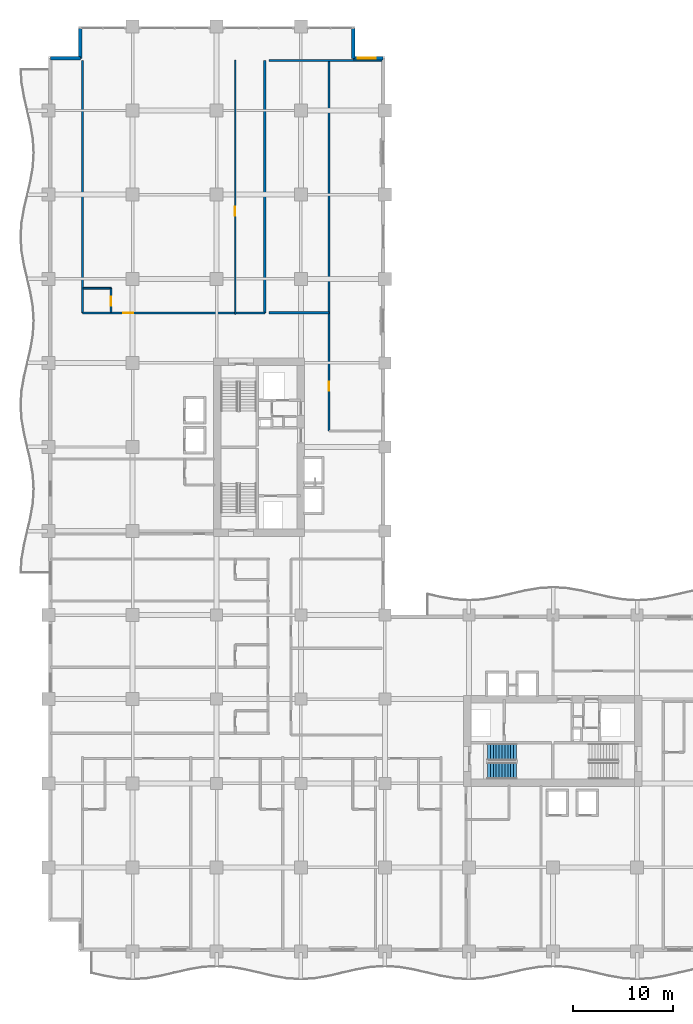
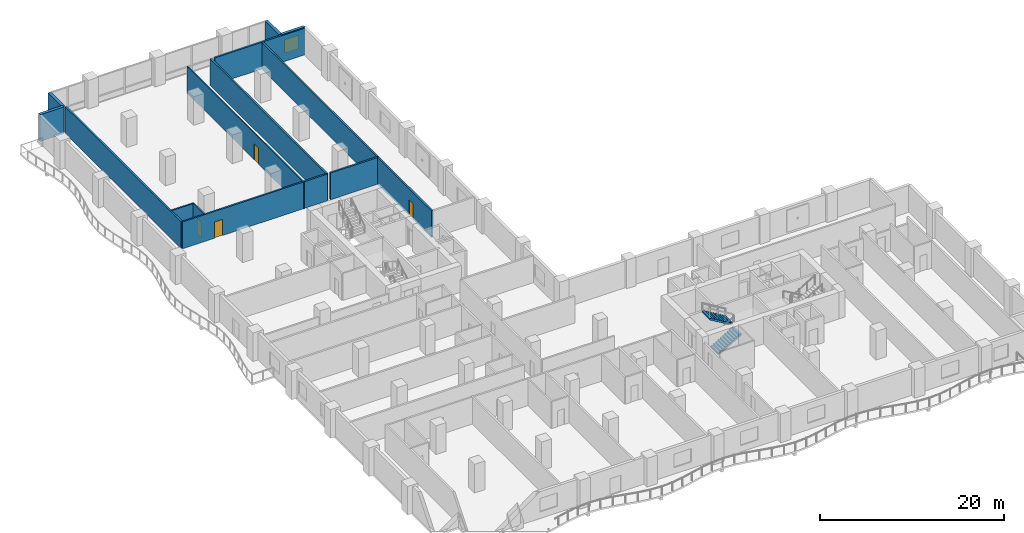
# One storey, part 14 of 21: 13 walls, 4 doors, 2 stair flights, 1 window, 5 openings, 1 element without a shape of its own.
"""IFC4 building model written with IfcOpenShell, lengths in metres."""

from ifc_helpers import new_model, si_unit, direction, frame, frame_2d, origin, place, context, subcontext, project, spatial, polyline, rectangle, outline, extrude, material, layer, layer_set, type_object, element, fill, aggregate, save


model = new_model("IFC4")

# Units and contexts
model_context = context("Model", 3, precision=1e-05, world=origin(), true_north=direction((0.0, 1.0)))
body_context = subcontext(model_context, "Body", "Model", "MODEL_VIEW")
ifc_project = project(units=[si_unit("LENGTHUNIT", "METRE"), si_unit("AREAUNIT", "SQUARE_METRE"), si_unit("VOLUMEUNIT", "CUBIC_METRE"), si_unit("PLANEANGLEUNIT", "RADIAN"), si_unit("MASSUNIT", "GRAM", prefix="KILO")], contexts=[model_context])

# Site, building, storey
site_placement = place(None, origin())
site = spatial("IfcSite", under=ifc_project, at=site_placement, CompositionType="ELEMENT")
building_placement = place(site_placement, origin())
building = spatial("IfcBuilding", under=site, at=building_placement, Name="Koriwani Terraces Tower", CompositionType="ELEMENT")
storey_placement = place(building_placement, frame((0.0, 0.0, 111.39990234375)))
storey = spatial("IfcBuildingStorey", under=building, at=storey_placement, Name="L26", CompositionType="ELEMENT", Elevation=111.39990234375)

# Wall, opening, door
ifc_material_1 = material(Name="Autoclaved Cellular Concrete Blockwork", Category="masonry")
ifc_layer_1 = layer(ifc_material_1, 0.199951171875, Name="Autoclaved Cellular Concrete Blockwork")
ifc_layer_set_1 = layer_set([ifc_layer_1], Name="Autoclaved Cellular Concrete Blockwork")
wall_type_1 = type_object("IfcWallType", Name="WALL_CORRIDOR_200", PredefinedType="PARTITIONING", material=ifc_layer_set_1)
wall_1_placement = place(storey_placement, frame((3.39990234375, 63.800048828125, 0.0), z_axis=(0.0, 0.0, 1.0), x_axis=(1.0, 0.0, 0.0)))
wall_1 = element("IfcWall", 1, at=wall_1_placement, inside=storey, type_object=wall_type_1, Name="L26 Interior Wall WGB-L26-NWTIP-S", PredefinedType="PARTITIONING", context=body_context, shape_type="SweptSolid", body=[
    extrude(rectangle(XDim=18.2001953125, YDim=0.199951171875, at=frame_2d((9.10009765625, 0.0))), origin(), (0.0, 0.0, 1.0), 3.550048828125),
])
opening_1_placement = place(wall_1_placement, frame((4.050048828125, 0.0, 0.0)))
opening_1 = element("IfcOpeningElement", 2, at=opening_1_placement, cuts=wall_1, Name="Opening D-05", PredefinedType="OPENING", context=body_context, shape_type="SweptSolid", body=[
    extrude(rectangle(XDim=1.0, YDim=2.14990234375, at=frame_2d((0.5, 1.074951171875))), frame((0.0, 0.10986328125, 0.0), z_axis=(0.0, -1.0, 0.0), x_axis=(1.0, 0.0, 0.0)), (0.0, 0.0, 1.0), 0.219970703125),
])
ifc_material_2 = material(Name="Architectural Oak Fire Door", Category="wood")
door_type_1 = type_object("IfcDoorType", Name="DOOR_SUITE_ENTRY_1000X2150", OperationType="NOTDEFINED", PredefinedType="DOOR", material=ifc_material_2)
door_1_placement = place(opening_1_placement, origin())
door_1 = element("IfcDoor", 3, at=door_1_placement, inside=storey, type_object=door_type_1, Name="Presidential Suite 26NT Entrance Door", OperationType="SINGLE_SWING_RIGHT", OverallHeight=2.14990234375, OverallWidth=1.0, PredefinedType="DOOR", context=body_context, shape_type="SweptSolid", body=[
    extrude(rectangle(XDim=1.0, YDim=2.14990234375, at=frame_2d((0.5, 1.074951171875))), frame((0.0, 0.02490234375, 0.0), z_axis=(0.0, -1.0, 0.0), x_axis=(1.0, 0.0, 0.0)), (0.0, 0.0, 1.0), 0.050048828125),
])
fill(opening_1, door_1)

wall_2_placement = place(storey_placement, frame((28.0, 52.0, 0.0), z_axis=(0.0, 0.0, 1.0), x_axis=(0.0, 1.0, 0.0)))
wall_2 = element("IfcWall", 4, at=wall_2_placement, inside=storey, type_object=wall_type_1, Name="L26 Interior Wall WNWT2-W-L26", PredefinedType="PARTITIONING", context=body_context, shape_type="SweptSolid", body=[
    extrude(rectangle(XDim=37.0, YDim=0.199951171875, at=frame_2d((18.5, 0.0))), origin(), (0.0, 0.0, 1.0), 3.550048828125),
])
opening_2_placement = place(wall_2_placement, frame((4.0, 0.0, 0.0)))
opening_2 = element("IfcOpeningElement", 5, at=opening_2_placement, cuts=wall_2, Name="Opening D-06", PredefinedType="OPENING", context=body_context, shape_type="SweptSolid", body=[
    extrude(rectangle(XDim=0.919921875, YDim=2.10009765625, at=frame_2d((0.4599609375, 1.050048828125))), frame((0.0, 0.10986328125, 0.0), z_axis=(0.0, -1.0, 0.0), x_axis=(1.0, 0.0, 0.0)), (0.0, 0.0, 1.0), 0.219970703125),
])
door_type_2 = type_object("IfcDoorType", Name="DOOR_ROOM_INT_920X2100", OperationType="NOTDEFINED", PredefinedType="DOOR", material=ifc_material_2)
door_2_placement = place(opening_2_placement, origin())
door_2 = element("IfcDoor", 6, at=door_2_placement, inside=storey, type_object=door_type_2, Name="L26 North Court Lounge Door", OperationType="SINGLE_SWING_LEFT", OverallHeight=2.10009765625, OverallWidth=0.919921875, PredefinedType="DOOR", context=body_context, shape_type="SweptSolid", body=[
    extrude(rectangle(XDim=0.919921875, YDim=2.10009765625, at=frame_2d((0.4599609375, 1.050048828125))), frame((0.0, 0.02490234375, 0.0), z_axis=(0.0, -1.0, 0.0), x_axis=(1.0, 0.0, 0.0)), (0.0, 0.0, 1.0), 0.050048828125),
])
fill(opening_2, door_2)

# Walls
ifc_layer_2 = layer(ifc_material_1, 0.219970703125, Name="Autoclaved Cellular Concrete Blockwork")
ifc_layer_set_2 = layer_set([ifc_layer_2], Name="Autoclaved Cellular Concrete Blockwork")
wall_type_2 = type_object("IfcWallType", Name="WALL_DEMISING_220", PredefinedType="PARTITIONING", material=ifc_layer_set_2)
for number, where, z_axis, x_axis, name in (
    (7, (21.60009765625, 63.800048828125, 0.0), (0.0, 0.0, 1.0), (0.0, 1.0, 0.0), "L26 Interior Wall WGB-L26-NWTIP-E"),
    (8, (3.39990234375, 63.800048828125, 0.0), (0.0, 0.0, 1.0), (0.0, 1.0, 0.0), "L26 Interior Wall WGB-L26-NWTIP-W"),
):
    element("IfcWall", number, at=place(storey_placement, frame(where, z_axis=z_axis, x_axis=x_axis)), inside=storey, type_object=wall_type_2, Name=name, PredefinedType="PARTITIONING", context=body_context, shape_type="SweptSolid", body=[
        extrude(rectangle(XDim=25.199951171875, YDim=0.219970703125, at=frame_2d((12.60009765625, 0.0))), origin(), (0.0, 0.0, 1.0), 3.550048828125),
    ])
wall_3_placement = place(storey_placement, frame((22.0, 89.0, 0.0), z_axis=(0.0, 0.0, 1.0), x_axis=(1.0, 0.0, 0.0)))
element("IfcWall", 9, at=wall_3_placement, inside=storey, type_object=wall_type_2, Name="L26 Interior Wall WNWT2-N-L26", PredefinedType="PARTITIONING", context=body_context, shape_type="SweptSolid", body=[
    extrude(rectangle(XDim=11.300048828125, YDim=0.219970703125, at=frame_2d((5.64990234375, 0.0))), origin(), (0.0, 0.0, 1.0), 3.550048828125),
])
wall_4_placement = place(storey_placement, frame((22.0, 63.800048828125, 0.0), z_axis=(0.0, 0.0, 1.0), x_axis=(1.0, 0.0, 0.0)))
element("IfcWall", 10, at=wall_4_placement, inside=storey, type_object=wall_type_2, Name="L26 Interior Wall WNWT2-WS-L26", PredefinedType="PARTITIONING", context=body_context, shape_type="SweptSolid", body=[
    extrude(rectangle(XDim=6.0, YDim=0.219970703125, at=frame_2d((3.0, 0.0))), origin(), (0.0, 0.0, 1.0), 3.550048828125),
])
ifc_material_3 = material(Name="Concrete C50/60", Category="concrete")
ifc_layer_3 = layer(ifc_material_3, 0.35009765625, Name="Concrete C50/60")
ifc_layer_set_3 = layer_set([ifc_layer_3], Name="Concrete C50/60")
wall_type_3 = type_object("IfcWallType", Name="WALL_EXT_BRUTALIST_350", PredefinedType="STANDARD", material=ifc_layer_set_3)
for number, where, z_axis, x_axis, name in (
    (11, (0.175048828125, 89.22509765625, 0.0), (0.0, 0.0, 1.0), (1.0, 0.0, 0.0), "L26 Fair-Faced Brutalist Exterior Wall (N3)"),
    (12, (3.175048828125, 89.22509765625, 0.0), (0.0, 0.0, 1.0), (0.0, 1.0, 0.0), "L26 Fair-Faced Brutalist Exterior Wall (N4)"),
    (13, (30.425048828125, 92.22509765625, 0.0), (0.0, 0.0, 1.0), (0.0, -1.0, 0.0), "L26 Fair-Faced Brutalist Exterior Wall (N6)"),
):
    element("IfcWall", number, at=place(storey_placement, frame(where, z_axis=z_axis, x_axis=x_axis)), inside=storey, type_object=wall_type_3, Name=name, PredefinedType="STANDARD", context=body_context, shape_type="SweptSolid", body=[
        extrude(rectangle(XDim=3.0, YDim=0.35009765625, at=frame_2d((1.5, 0.0))), origin(), (0.0, 0.0, 1.0), 3.550048828125),
    ])

# Wall, opening, window
wall_5_placement = place(storey_placement, frame((30.425048828125, 89.22509765625, 0.0), z_axis=(0.0, 0.0, 1.0), x_axis=(1.0, 0.0, 0.0)))
wall_5 = element("IfcWall", 14, at=wall_5_placement, inside=storey, type_object=wall_type_3, Name="L26 Fair-Faced Brutalist Exterior Wall (N7)", PredefinedType="STANDARD", context=body_context, shape_type="SweptSolid", body=[
    extrude(rectangle(XDim=3.0, YDim=0.35009765625, at=frame_2d((1.5, 0.0))), origin(), (0.0, 0.0, 1.0), 3.550048828125),
])
opening_3_placement = place(wall_5_placement, frame((0.487548828125, 0.0, 0.85009765625)))
opening_3 = element("IfcOpeningElement", 15, at=opening_3_placement, cuts=wall_5, Name="Opening W-04", PredefinedType="OPENING", context=body_context, shape_type="SweptSolid", body=[
    extrude(rectangle(XDim=1.800048828125, YDim=1.800048828125, at=frame_2d((0.89990234375, 0.89990234375))), frame((0.0, 0.18505859375, 0.0), z_axis=(0.0, -1.0, 0.0), x_axis=(1.0, 0.0, 0.0)), (0.0, 0.0, 1.0), 0.3701171875),
])
ifc_material_4 = material(Name="Tempered Laminated Low-E Glass", Category="glass")
window_type = type_object("IfcWindowType", Name="WIN_RES_BED_1800X1800", PartitioningType="DOUBLE_PANEL_VERTICAL", PredefinedType="WINDOW", material=ifc_material_4)
window_placement = place(opening_3_placement, origin())
window = element("IfcWindow", 16, at=window_placement, inside=storey, type_object=window_type, Name="L26 Exterior Window (N7-R49)", OverallHeight=1.800048828125, OverallWidth=1.800048828125, PartitioningType="SINGLE_PANEL", PredefinedType="WINDOW", context=body_context, shape_type="SweptSolid", body=[
    extrude(rectangle(XDim=1.800048828125, YDim=1.800048828125, at=frame_2d((0.89990234375, 0.89990234375))), frame((0.0, 0.030029296875, 0.0), z_axis=(0.0, -1.0, 0.0), x_axis=(1.0, 0.0, 0.0)), (0.0, 0.0, 1.0), 0.06005859375),
])
fill(opening_3, window)

# Wall, opening, door
ifc_material_5 = material(Name="Fire-Rated Acoustic Gypsum Partition", Category="masonry")
ifc_layer_4 = layer(ifc_material_5, 0.125, Name="Fire-Rated Acoustic Gypsum Partition")
ifc_layer_set_4 = layer_set([ifc_layer_4], Name="Fire-Rated Acoustic Gypsum Partition")
wall_type_4 = type_object("IfcWallType", Name="WALL_INT_125", PredefinedType="PARTITIONING", material=ifc_layer_set_4)
wall_6_placement = place(storey_placement, frame((18.64990234375, 63.64990234375, 0.0), z_axis=(0.0, 0.0, 1.0), x_axis=(0.0, 1.0, 0.0)))
wall_6 = element("IfcWall", 17, at=wall_6_placement, inside=storey, type_object=wall_type_4, Name="L26 Interior Wall WGB-L26-NWTIP-BD", PredefinedType="PARTITIONING", context=body_context, shape_type="SweptSolid", body=[
    extrude(rectangle(XDim=25.400146484375, YDim=0.125, at=frame_2d((12.7001953125, 0.0))), origin(), (0.0, 0.0, 1.0), 3.550048828125),
])
opening_4_placement = place(wall_6_placement, frame((9.840087890625, 0.0, 0.0)))
opening_4 = element("IfcOpeningElement", 18, at=opening_4_placement, cuts=wall_6, Name="Opening D-06", PredefinedType="OPENING", context=body_context, shape_type="SweptSolid", body=[
    extrude(rectangle(XDim=0.919921875, YDim=2.10009765625, at=frame_2d((0.4599609375, 1.050048828125))), frame((0.0, 0.072509765625, 0.0), z_axis=(0.0, -1.0, 0.0), x_axis=(1.0, 0.0, 0.0)), (0.0, 0.0, 1.0), 0.14501953125),
])
door_3_placement = place(opening_4_placement, origin())
door_3 = element("IfcDoor", 19, at=door_3_placement, inside=storey, type_object=door_type_2, Name="Presidential Suite 26NT Master Suite Door", OperationType="SINGLE_SWING_RIGHT", OverallHeight=2.10009765625, OverallWidth=0.919921875, PredefinedType="DOOR", context=body_context, shape_type="SweptSolid", body=[
    extrude(rectangle(XDim=0.919921875, YDim=2.10009765625, at=frame_2d((0.4599609375, 1.050048828125))), frame((0.0, 0.02490234375, 0.0), z_axis=(0.0, -1.0, 0.0), x_axis=(1.0, 0.0, 0.0)), (0.0, 0.0, 1.0), 0.050048828125),
])
fill(opening_4, door_3)

ifc_layer_5 = layer(ifc_material_5, 0.179931640625, Name="Fire-Rated Acoustic Gypsum Partition")
ifc_layer_set_5 = layer_set([ifc_layer_5], Name="Fire-Rated Acoustic Gypsum Partition")
wall_type_5 = type_object("IfcWallType", Name="WALL_PLUMBING_180", PredefinedType="PLUMBINGWALL", material=ifc_layer_set_5)
wall_7_placement = place(storey_placement, frame((6.25, 63.85009765625, 0.0), z_axis=(0.0, 0.0, 1.0), x_axis=(0.0, 1.0, 0.0)))
wall_7 = element("IfcWall", 20, at=wall_7_placement, inside=storey, type_object=wall_type_5, Name="L26 Interior Wall WGB-L26-NWTIP-SVB", PredefinedType="PLUMBINGWALL", context=body_context, shape_type="SweptSolid", body=[
    extrude(rectangle(XDim=2.39990234375, YDim=0.179931640625, at=frame_2d((1.199951171875, 0.0))), origin(), (0.0, 0.0, 1.0), 3.550048828125),
])
opening_5_placement = place(wall_7_placement, frame((0.64990234375, 0.0, 0.0)))
opening_5 = element("IfcOpeningElement", 21, at=opening_5_placement, cuts=wall_7, Name="Opening D-07", PredefinedType="OPENING", context=body_context, shape_type="SweptSolid", body=[
    extrude(rectangle(XDim=0.89990234375, YDim=2.10009765625, at=frame_2d((0.449951171875, 1.050048828125))), frame((0.0, 0.10009765625, 0.0), z_axis=(0.0, -1.0, 0.0), x_axis=(1.0, 0.0, 0.0)), (0.0, 0.0, 1.0), 0.199951171875),
])
door_type_3 = type_object("IfcDoorType", Name="DOOR_BATH_INT_900X2100", OperationType="NOTDEFINED", PredefinedType="DOOR", material=ifc_material_2)
door_4_placement = place(opening_5_placement, origin())
door_4 = element("IfcDoor", 22, at=door_4_placement, inside=storey, type_object=door_type_3, Name="Presidential Suite 26NT Bathroom Door", OperationType="SINGLE_SWING_LEFT", OverallHeight=2.10009765625, OverallWidth=0.89990234375, PredefinedType="DOOR", context=body_context, shape_type="SweptSolid", body=[
    extrude(rectangle(XDim=0.89990234375, YDim=2.10009765625, at=frame_2d((0.449951171875, 1.050048828125))), frame((0.0, 0.02490234375, 0.0), z_axis=(0.0, -1.0, 0.0), x_axis=(1.0, 0.0, 0.0)), (0.0, 0.0, 1.0), 0.050048828125),
])
fill(opening_5, door_4)

# Wall
wall_8_placement = place(storey_placement, frame((3.449951171875, 66.25, 0.0), z_axis=(0.0, 0.0, 1.0), x_axis=(1.0, 0.0, 0.0)))
element("IfcWall", 23, at=wall_8_placement, inside=storey, type_object=wall_type_5, Name="L26 Interior Wall WGB-L26-NWTIP-SV2", PredefinedType="PLUMBINGWALL", context=body_context, shape_type="SweptSolid", body=[
    extrude(rectangle(XDim=2.800048828125, YDim=0.179931640625, at=frame_2d((1.39990234375, 0.0))), origin(), (0.0, 0.0, 1.0), 3.550048828125),
])

# Stair, stair flights
ifc_material_6 = material(Name="Concrete C40/50", Category="concrete")
stair_type = type_object("IfcStairType", Name="STAIR_CORE_DOGLEG_1650", PredefinedType="TWO_STRAIGHT_RUN_STAIR", material=ifc_material_6)
stair_placement = place(storey_placement, origin())
stair = element("IfcStair", 24, at=stair_placement, inside=storey, type_object=stair_type, Name="L26 East Core Exit Stair 1", PredefinedType="HALF_TURN_STAIR")
stair_flight_type = type_object("IfcStairFlightType", Name="STAIR_FLIGHT_RC_1650", PredefinedType="STRAIGHT", material=ifc_material_6)
stair_flight_1_placement = place(storey_placement, frame((43.85009765625, 18.074951171875, 0.0), z_axis=(0.0, 0.0, 1.0), x_axis=(1.0, 0.0, 0.0)))
stair_flight_1 = element("IfcStairFlight", 25, at=stair_flight_1_placement, type_object=stair_flight_type, Name="ST-E1 flight 1", NumberOfRisers=11, NumberOfTreads=10, PredefinedType="STRAIGHT", RiserHeight=0.172727273, TreadLength=0.29, context=body_context, shape_type="SweptSolid", body=[
    extrude(outline(polyline([(0.0, 0.0), (0.0, 0.172607421875), (0.2900390625, 0.172607421875), (0.2900390625, 0.345458984375), (0.580078125, 0.345458984375), (0.580078125, 0.51806640625), (0.8701171875, 0.51806640625), (0.8701171875, 0.69091796875), (1.159912109375, 0.69091796875), (1.159912109375, 0.863525390625), (1.449951171875, 0.863525390625), (1.449951171875, 1.036376953125), (1.739990234375, 1.036376953125), (1.739990234375, 1.208984375), (2.030029296875, 1.208984375), (2.030029296875, 1.3818359375), (2.320068359375, 1.3818359375), (2.320068359375, 1.554443359375), (2.610107421875, 1.554443359375), (2.610107421875, 1.727294921875), (2.89990234375, 1.727294921875), (2.89990234375, 1.89990234375), (2.89990234375, 1.517822265625), (0.3515625, 0.0), (0.0, 0.0)])), frame((0.0, 0.824951171875, 0.0), z_axis=(0.0, -1.0, 0.0), x_axis=(1.0, 0.0, 0.0)), (0.0, 0.0, 1.0), 1.64990234375),
])
stair_flight_2_placement = place(storey_placement, frame((46.75, 19.925048828125, 1.900146484375), z_axis=(0.0, 0.0, 1.0), x_axis=(-1.0, 0.0, 0.0)))
stair_flight_2 = element("IfcStairFlight", 26, at=stair_flight_2_placement, type_object=stair_flight_type, Name="ST-E1 flight 2", NumberOfRisers=11, NumberOfTreads=10, PredefinedType="STRAIGHT", RiserHeight=0.172727273, TreadLength=0.29, context=body_context, shape_type="SweptSolid", body=[
    extrude(outline(polyline([(0.0, 0.0), (0.0, 0.172607421875), (0.2900390625, 0.172607421875), (0.2900390625, 0.345458984375), (0.580078125, 0.345458984375), (0.580078125, 0.51806640625), (0.8701171875, 0.51806640625), (0.8701171875, 0.69091796875), (1.159912109375, 0.69091796875), (1.159912109375, 0.863525390625), (1.449951171875, 0.863525390625), (1.449951171875, 1.036376953125), (1.739990234375, 1.036376953125), (1.739990234375, 1.208984375), (2.030029296875, 1.208984375), (2.030029296875, 1.3818359375), (2.320068359375, 1.3818359375), (2.320068359375, 1.554443359375), (2.610107421875, 1.554443359375), (2.610107421875, 1.727294921875), (2.89990234375, 1.727294921875), (2.89990234375, 1.89990234375), (2.89990234375, 1.517822265625), (0.3515625, 0.0), (0.0, 0.0)])), frame((0.0, 0.824951171875, 0.0), z_axis=(0.0, -1.0, 0.0), x_axis=(1.0, 0.0, 0.0)), (0.0, 0.0, 1.0), 1.64990234375),
])
aggregate(stair, [stair_flight_1, stair_flight_2])

save(model, "model.ifc")
